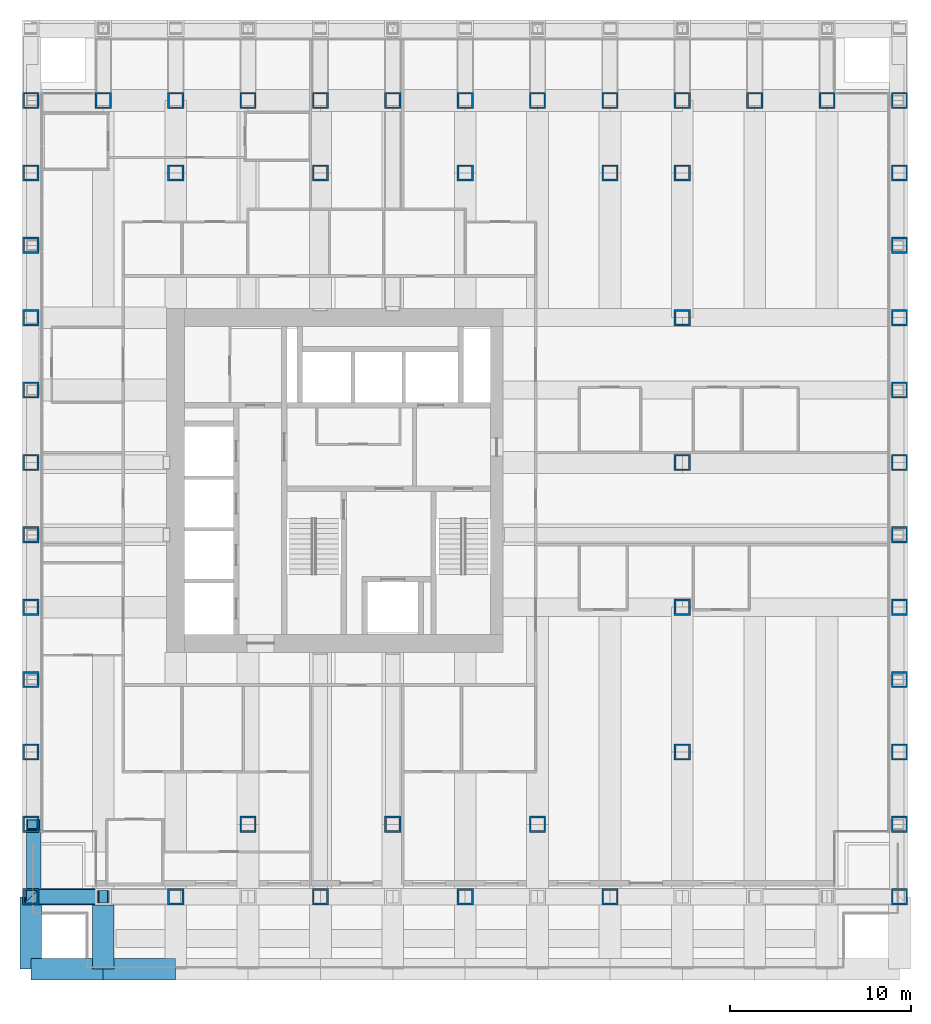
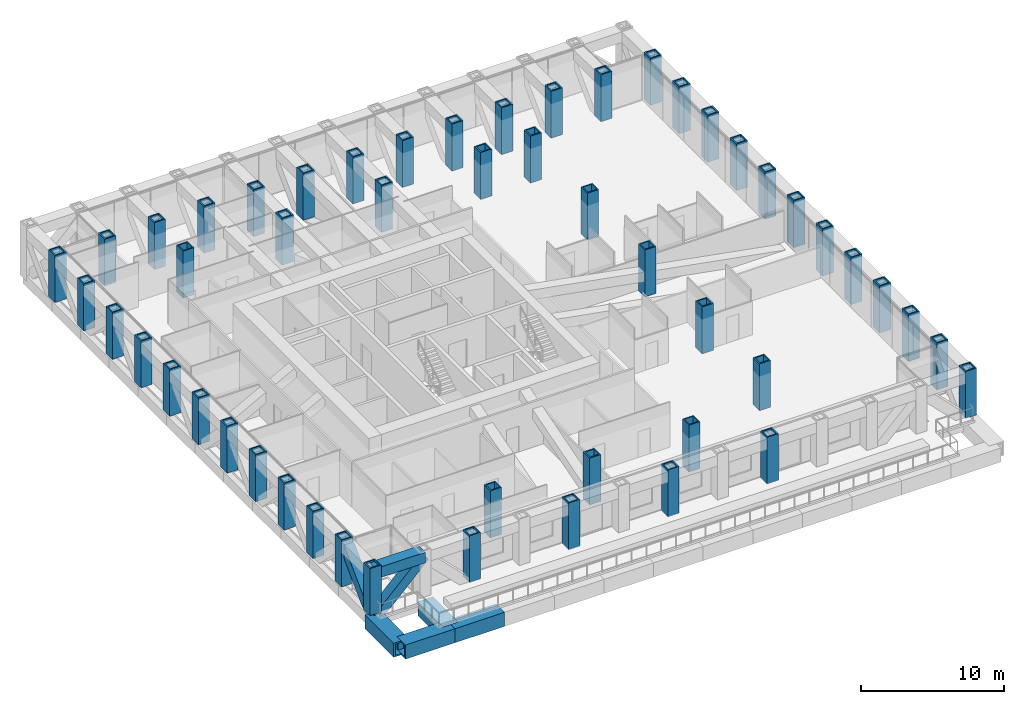
# One storey, part 1 of 18: 51 columns, 5 beams, 2 members.
"""IFC4 building model written with IfcOpenShell, lengths in metres."""

import ifcopenshell
import ifcopenshell.guid

model = None  # the IFC model being written
_history = None  # IfcOwnerHistory: only IFC2X3 demands one
_inside = {}  # id of a spatial element -> (the spatial element, [elements in it])
_under = {}  # id of a project, library or spatial element -> (it, [spatial elements below it])
_declared = {}  # id of a project -> (the project, [libraries it declares])
_typed = {}  # id of a type object -> (the type object, [elements of that type])
_made_of = {}  # id of a material, layer set ... -> (it, [elements and type objects made of it])


def new_model(schema):
    """Start an empty IFC model of exactly this schema.

    Asked for "IFC4X3", IfcOpenShell would pick the latest addendum, in which some entities
    have other attributes; the version numbers below select the first issue.
    IFC2X3 requires an IfcOwnerHistory on every rooted entity: one is made here for all.
    """
    global model, _history
    if schema == "IFC4X3":
        model = ifcopenshell.file(schema_version=(4, 3, 0, 0))
    else:
        model = ifcopenshell.file(schema=schema)
    _inside.clear()
    _under.clear()
    _declared.clear()
    _typed.clear()
    _made_of.clear()
    _history = None
    if model.schema == "IFC2X3":
        org = make("IfcOrganization", Name="unknown")
        user = make(
            "IfcPersonAndOrganization",
            ThePerson=make("IfcPerson", FamilyName="unknown"),
            TheOrganization=org,
        )
        app = make(
            "IfcApplication",
            ApplicationDeveloper=org,
            Version="unknown",
            ApplicationFullName="unknown",
            ApplicationIdentifier="unknown",
        )
        _history = make(
            "IfcOwnerHistory",
            OwningUser=user,
            OwningApplication=app,
            ChangeAction="ADDED",
            CreationDate=0,
        )
    return model


def make(cls, **values):
    """One entity of the class cls with the attributes given. An attribute that is None is left unset."""
    return model.create_entity(
        cls, **{name: value for name, value in values.items() if value is not None}
    )


def rooted(cls, **values):
    """An entity with a GlobalId (a new one), such as an element, a storey or a relation."""
    return make(cls, GlobalId=ifcopenshell.guid.new(), OwnerHistory=_history, **values)


def si_unit(unit_type, name, prefix=None):
    """IfcSIUnit, for example si_unit("LENGTHUNIT", "METRE", prefix="MILLI")."""
    return make("IfcSIUnit", UnitType=unit_type, Prefix=prefix, Name=name)


def assignment(units):
    """IfcUnitAssignment: the units of a project."""
    return None if units is None else make("IfcUnitAssignment", Units=units)


def point(xyz):
    """IfcCartesianPoint."""
    return None if xyz is None else make("IfcCartesianPoint", Coordinates=xyz)


def direction(xyz):
    """IfcDirection."""
    return None if xyz is None else make("IfcDirection", DirectionRatios=xyz)


def frame(location, z_axis=None, x_axis=None):
    """IfcAxis2Placement3D, a coordinate frame: its origin and axes. An axis left out is left unset."""
    return make(
        "IfcAxis2Placement3D",
        Location=point(location),
        Axis=direction(z_axis),
        RefDirection=direction(x_axis),
    )


def frame_2d(location, x_axis=None):
    """IfcAxis2Placement2D, a coordinate frame in the plane: its origin and x axis."""
    return make(
        "IfcAxis2Placement2D", Location=point(location), RefDirection=direction(x_axis)
    )


def origin():
    """The frame at (0, 0, 0) with its axes left unset."""
    return frame((0.0, 0.0, 0.0))


def origin_2d():
    """The frame at (0, 0) in the plane with its x axis left unset."""
    return frame_2d((0.0, 0.0))


def place(relative_to, where):
    """IfcLocalPlacement: puts the frame where relative to a parent placement (None: the world)."""
    return make(
        "IfcLocalPlacement", PlacementRelTo=relative_to, RelativePlacement=where
    )


def context(
    kind, dimensions, precision=None, world=None, true_north=None, identifier=None
):
    """IfcGeometricRepresentationContext, for example the 3D "Model" context."""
    return make(
        "IfcGeometricRepresentationContext",
        ContextIdentifier=identifier,
        ContextType=kind,
        CoordinateSpaceDimension=dimensions,
        Precision=precision,
        WorldCoordinateSystem=world,
        TrueNorth=true_north,
    )


def subcontext(parent, identifier, kind, view, scale=None):
    """IfcGeometricRepresentationSubContext, for example "Body" below "Model"."""
    return make(
        "IfcGeometricRepresentationSubContext",
        ContextIdentifier=identifier,
        ContextType=kind,
        ParentContext=parent,
        TargetScale=scale,
        TargetView=view,
    )


def project(units=None, contexts=None):
    """IfcProject with its units and contexts."""
    return rooted(
        "IfcProject",
        Name="project",
        RepresentationContexts=contexts,
        UnitsInContext=assignment(units),
    )


def spatial(cls, under=None, at=None, **own):
    """A site, building, storey or space (cls), placed at a placement, below another one or the project."""
    s = rooted(cls, ObjectPlacement=at, **own)
    if under is not None:
        _under.setdefault(under.id(), (under, []))[1].append(s)
    return s


def profile(cls, at=None, kind="AREA", **sizes):
    """A parametric profile (cls). Its sizes go by their IFC names, for example OverallWidth=200.0."""
    return make(cls, ProfileType=kind, Position=at, **sizes)


def hollow_rectangle(**sizes):
    """IfcRectangleHollowProfileDef."""
    return profile("IfcRectangleHollowProfileDef", **sizes)


def extrude(swept, where, along, depth):
    """IfcExtrudedAreaSolid: the profile swept, set in the frame where, extruded along a direction by depth."""
    return make(
        "IfcExtrudedAreaSolid",
        SweptArea=swept,
        Position=where,
        ExtrudedDirection=direction(along),
        Depth=depth,
    )


def shape(context_of_items, identifier, shape_type, items):
    """IfcShapeRepresentation: the items that make up one representation, for example the "Body"."""
    return make(
        "IfcShapeRepresentation",
        ContextOfItems=context_of_items,
        RepresentationIdentifier=identifier,
        RepresentationType=shape_type,
        Items=items,
    )


def material(Name=None, Category=None):
    """IfcMaterial."""
    return make("IfcMaterial", Name=Name, Category=Category)


def material_profile(
    of_material, cross_section, Name=None, Category=None, Priority=None
):
    """IfcMaterialProfile: a cross section and its material."""
    return make(
        "IfcMaterialProfile",
        Name=Name,
        Material=of_material,
        Profile=cross_section,
        Priority=Priority,
        Category=Category,
    )


def profile_set(profiles, Name=None, composite=None):
    """IfcMaterialProfileSet."""
    return make(
        "IfcMaterialProfileSet",
        Name=Name,
        MaterialProfiles=profiles,
        CompositeProfile=composite,
    )


def made_of(thing, what):
    """Note that an element or type object is made of a material, layer set ...; save() writes the relation."""
    if what is not None:
        _made_of.setdefault(what.id(), (what, []))[1].append(thing)
    return thing


def type_object(cls, material=None, **own):
    """A type object (cls), such as IfcWallType, which elements share."""
    return made_of(rooted(cls, **own), material)


def element(
    cls,
    number,
    at=None,
    inside=None,
    cuts=None,
    type_object=None,
    material=None,
    context=None,
    identifier="Body",
    shape_type=None,
    held_by="IfcProductDefinitionShape",
    body=None,
    shapes=None,
    **own,
):
    """One element of the class cls, such as IfcWall. Its Tag is "e" and its number.

    at: its placement. inside: the storey or other place that contains it. cuts: it is an
    opening in that element (IfcRelVoidsElement). A single representation is given by context,
    identifier, shape_type and body (its items); several are given by shapes. held_by: the class
    of the entity that holds the representations. save() writes the other relations.
    """
    e = rooted(cls, Tag="e%d" % number, ObjectPlacement=at, **own)
    if body is not None:
        shapes = [shape(context, identifier, shape_type, body)]
    if shapes is not None:
        e.Representation = make(held_by, Representations=shapes)
    if inside is not None:
        _inside.setdefault(inside.id(), (inside, []))[1].append(e)
    if cuts is not None:
        rooted(
            "IfcRelVoidsElement", RelatingBuildingElement=cuts, RelatedOpeningElement=e
        )
    if type_object is not None:
        _typed.setdefault(type_object.id(), (type_object, []))[1].append(e)
    return made_of(e, material)


def aggregate(whole, parts):
    """IfcRelAggregates: a whole, such as a stair, and the parts it consists of."""
    return rooted("IfcRelAggregates", RelatingObject=whole, RelatedObjects=parts)


def save(model, path):
    """Write the relations noted so far, then the file.

    IfcRelAggregates (storeys below a building ...), IfcRelContainedInSpatialStructure (elements
    in a storey), IfcRelDefinesByType, IfcRelAssociatesMaterial and IfcRelDeclares: one each for
    every whole, place, type object, material and project.
    """
    for whole, parts in _under.values():
        aggregate(whole, parts)
    for where, things in _inside.values():
        rooted(
            "IfcRelContainedInSpatialStructure",
            RelatedElements=things,
            RelatingStructure=where,
        )
    for kind, things in _typed.values():
        rooted("IfcRelDefinesByType", RelatedObjects=things, RelatingType=kind)
    for what, things in _made_of.values():
        rooted("IfcRelAssociatesMaterial", RelatedObjects=things, RelatingMaterial=what)
    for by, libraries in _declared.values():
        rooted("IfcRelDeclares", RelatingContext=by, RelatedDefinitions=libraries)
    model.write(path)


model = new_model("IFC4")

# Units and contexts
model_context = context("Model", 3, precision=1e-05, world=origin(), true_north=direction((0.0, 1.0)))
body_context = subcontext(model_context, "Body", "Model", "MODEL_VIEW")
ifc_project = project(units=[si_unit("LENGTHUNIT", "METRE"), si_unit("AREAUNIT", "SQUARE_METRE"), si_unit("VOLUMEUNIT", "CUBIC_METRE"), si_unit("PLANEANGLEUNIT", "RADIAN"), si_unit("MASSUNIT", "GRAM", prefix="KILO")], contexts=[model_context])

# Site, building, storey
site_placement = place(None, origin())
site = spatial("IfcSite", under=ifc_project, at=site_placement, CompositionType="ELEMENT")
building_placement = place(site_placement, origin())
building = spatial("IfcBuilding", under=site, at=building_placement, Name="Rimbunsela Tower", CompositionType="ELEMENT")
storey_placement = place(building_placement, frame((0.0, 0.0, 105.39990234375)))
storey = spatial("IfcBuildingStorey", under=building, at=storey_placement, Name="L25", CompositionType="ELEMENT", Elevation=105.39990234375)

# Columns
ifc_material_1 = material(Name="Steel BJ 55 (fy 410 MPa)", Category="steel")
ifc_material_profile_1 = material_profile(ifc_material_1, hollow_rectangle(XDim=0.89990234375, YDim=0.89990234375, WallThickness=0.10009765625, at=origin_2d()), Name="BOX 900x900x100")
ifc_profile_set_1 = profile_set([ifc_material_profile_1], Name="Steel BJ 55 (fy 410 MPa)")
column_type_1 = type_object("IfcColumnType", Name="Column BOX 900x900x100", PredefinedType="COLUMN", material=ifc_profile_set_1)
for number, where, z_axis, x_axis, name in (
    (1, (18.0, 44.0, 0.0), (0.0, 0.0, 1.0), (1.0, 0.0, 0.0), "Column C5 7/N L25"),
    (2, (22.0, 8.0, 0.0), (0.0, 0.0, 1.0), (1.0, 0.0, 0.0), "Column C5 8/D L25"),
    (3, (26.0, 44.0, 0.0), (0.0, 0.0, 1.0), (1.0, 0.0, 0.0), "Column C5 9/N L25"),
    (4, (30.0, 8.0, 0.0), (0.0, 0.0, 1.0), (1.0, 0.0, 0.0), "Column C5 10/D L25"),
    (5, (34.0, 44.0, 0.0), (0.0, 0.0, 1.0), (1.0, 0.0, 0.0), "Column C5 11/N L25"),
    (6, (38.0, 8.0, 0.0), (0.0, 0.0, 1.0), (1.0, 0.0, 0.0), "Column C5 12/D L25"),
    (7, (42.0, 44.0, 0.0), (0.0, 0.0, 1.0), (1.0, 0.0, 0.0), "Column C5 13/N L25"),
    (8, (46.0, 12.0, 0.0), (0.0, 0.0, 1.0), (1.0, 0.0, 0.0), "Column C5 14/E L25"),
    (9, (46.0, 20.0, 0.0), (0.0, 0.0, 1.0), (1.0, 0.0, 0.0), "Column C5 14/G L25"),
    (10, (46.0, 28.0, 0.0), (0.0, 0.0, 1.0), (1.0, 0.0, 0.0), "Column C5 14/J L25"),
    (11, (46.0, 36.0, 0.0), (0.0, 0.0, 1.0), (1.0, 0.0, 0.0), "Column C5 14/L L25"),
    (12, (46.0, 44.0, 0.0), (0.0, 0.0, 1.0), (1.0, 0.0, 0.0), "Column C5 14/N L25"),
):
    element("IfcColumn", number, at=place(storey_placement, frame(where, z_axis=z_axis, x_axis=x_axis)), inside=storey, type_object=column_type_1, Name=name, PredefinedType="COLUMN", context=body_context, shape_type="SweptSolid", body=[
        extrude(hollow_rectangle(XDim=0.89990234375, YDim=0.89990234375, WallThickness=0.10009765625, at=origin_2d()), origin(), (0.0, 0.0, 1.0), 4.0),
    ])
ifc_material_2 = material(Name="Steel BJ 55 (fy 410 MPa)", Category="steel")
ifc_material_profile_2 = material_profile(ifc_material_2, hollow_rectangle(XDim=0.89990234375, YDim=0.89990234375, WallThickness=0.10009765625, at=origin_2d()), Name="BOX 900x900x100")
ifc_profile_set_2 = profile_set([ifc_material_profile_2], Name="Steel BJ 55 (fy 410 MPa)")
column_type_2 = type_object("IfcColumnType", Name="Truss column BOX 900x900x100", PredefinedType="USERDEFINED", material=ifc_profile_set_2)
for number, where, z_axis, x_axis, name in (
    (13, (10.0, 4.0, 0.0), (0.0, 0.0, 1.0), (1.0, 0.0, 0.0), "Truss column TV2 5/C L25"),
    (14, (10.0, 8.0, 0.0), (0.0, 0.0, 1.0), (1.0, 0.0, 0.0), "Truss column TV2 5/D L25"),
    (15, (10.0, 12.0, 0.0), (0.0, 0.0, 1.0), (1.0, 0.0, 0.0), "Truss column TV2 5/E L25"),
    (16, (10.0, 16.0, 0.0), (0.0, 0.0, 1.0), (1.0, 0.0, 0.0), "Truss column TV2 5/F L25"),
    (17, (10.0, 20.0, 0.0), (0.0, 0.0, 1.0), (1.0, 0.0, 0.0), "Truss column TV2 5/G L25"),
    (18, (10.0, 24.0, 0.0), (0.0, 0.0, 1.0), (1.0, 0.0, 0.0), "Truss column TV2 5/H L25"),
    (19, (10.0, 28.0, 0.0), (0.0, 0.0, 1.0), (1.0, 0.0, 0.0), "Truss column TV2 5/J L25"),
    (20, (10.0, 32.0, 0.0), (0.0, 0.0, 1.0), (1.0, 0.0, 0.0), "Truss column TV2 5/K L25"),
    (21, (10.0, 36.0, 0.0), (0.0, 0.0, 1.0), (1.0, 0.0, 0.0), "Truss column TV2 5/L L25"),
    (22, (10.0, 40.0, 0.0), (0.0, 0.0, 1.0), (1.0, 0.0, 0.0), "Truss column TV2 5/M L25"),
    (23, (10.0, 44.0, 0.0), (0.0, 0.0, 1.0), (1.0, 0.0, 0.0), "Truss column TV2 5/N L25"),
    (24, (10.0, 48.0, 0.0), (0.0, 0.0, 1.0), (1.0, 0.0, 0.0), "Truss column TV2 5/P L25"),
    (25, (18.0, 4.0, 0.0), (0.0, 0.0, 1.0), (1.0, 0.0, 0.0), "Truss column TV2 7/C L25"),
    (26, (26.0, 4.0, 0.0), (0.0, 0.0, 1.0), (1.0, 0.0, 0.0), "Truss column TV2 9/C L25"),
    (27, (34.0, 4.0, 0.0), (0.0, 0.0, 1.0), (1.0, 0.0, 0.0), "Truss column TV2 11/C L25"),
    (28, (42.0, 4.0, 0.0), (0.0, 0.0, 1.0), (1.0, 0.0, 0.0), "Truss column TV2 13/C L25"),
    (29, (58.0, 4.0, 0.0), (0.0, 0.0, 1.0), (1.0, 0.0, 0.0), "Truss column TV2 17/C L25"),
    (30, (58.0, 8.0, 0.0), (0.0, 0.0, 1.0), (1.0, 0.0, 0.0), "Truss column TV2 17/D L25"),
    (31, (58.0, 12.0, 0.0), (0.0, 0.0, 1.0), (1.0, 0.0, 0.0), "Truss column TV2 17/E L25"),
    (32, (58.0, 16.0, 0.0), (0.0, 0.0, 1.0), (1.0, 0.0, 0.0), "Truss column TV2 17/F L25"),
    (33, (58.0, 20.0, 0.0), (0.0, 0.0, 1.0), (1.0, 0.0, 0.0), "Truss column TV2 17/G L25"),
    (34, (58.0, 24.0, 0.0), (0.0, 0.0, 1.0), (1.0, 0.0, 0.0), "Truss column TV2 17/H L25"),
    (35, (58.0, 28.0, 0.0), (0.0, 0.0, 1.0), (1.0, 0.0, 0.0), "Truss column TV2 17/J L25"),
    (36, (58.0, 32.0, 0.0), (0.0, 0.0, 1.0), (1.0, 0.0, 0.0), "Truss column TV2 17/K L25"),
    (37, (58.0, 36.0, 0.0), (0.0, 0.0, 1.0), (1.0, 0.0, 0.0), "Truss column TV2 17/L L25"),
    (38, (58.0, 40.0, 0.0), (0.0, 0.0, 1.0), (1.0, 0.0, 0.0), "Truss column TV2 17/M L25"),
    (39, (58.0, 44.0, 0.0), (0.0, 0.0, 1.0), (1.0, 0.0, 0.0), "Truss column TV2 17/N L25"),
    (40, (58.0, 48.0, 0.0), (0.0, 0.0, 1.0), (1.0, 0.0, 0.0), "Truss column TV2 17/P L25"),
    (41, (14.0, 48.0, 0.0), (0.0, 0.0, 1.0), (1.0, 0.0, 0.0), "Truss column TV2 6/P L25"),
    (42, (18.0, 48.0, 0.0), (0.0, 0.0, 1.0), (1.0, 0.0, 0.0), "Truss column TV2 7/P L25"),
    (43, (22.0, 48.0, 0.0), (0.0, 0.0, 1.0), (1.0, 0.0, 0.0), "Truss column TV2 8/P L25"),
    (44, (26.0, 48.0, 0.0), (0.0, 0.0, 1.0), (1.0, 0.0, 0.0), "Truss column TV2 9/P L25"),
    (45, (30.0, 48.0, 0.0), (0.0, 0.0, 1.0), (1.0, 0.0, 0.0), "Truss column TV2 10/P L25"),
    (46, (34.0, 48.0, 0.0), (0.0, 0.0, 1.0), (1.0, 0.0, 0.0), "Truss column TV2 11/P L25"),
    (47, (38.0, 48.0, 0.0), (0.0, 0.0, 1.0), (1.0, 0.0, 0.0), "Truss column TV2 12/P L25"),
    (48, (42.0, 48.0, 0.0), (0.0, 0.0, 1.0), (1.0, 0.0, 0.0), "Truss column TV2 13/P L25"),
    (49, (46.0, 48.0, 0.0), (0.0, 0.0, 1.0), (1.0, 0.0, 0.0), "Truss column TV2 14/P L25"),
    (50, (50.0, 48.0, 0.0), (0.0, 0.0, 1.0), (1.0, 0.0, 0.0), "Truss column TV2 15/P L25"),
    (51, (54.0, 48.0, 0.0), (0.0, 0.0, 1.0), (1.0, 0.0, 0.0), "Truss column TV2 16/P L25"),
):
    element("IfcColumn", number, at=place(storey_placement, frame(where, z_axis=z_axis, x_axis=x_axis)), inside=storey, type_object=column_type_2, Name=name, ObjectType="TRUSS POST", PredefinedType="USERDEFINED", context=body_context, shape_type="SweptSolid", body=[
        extrude(hollow_rectangle(XDim=0.89990234375, YDim=0.89990234375, WallThickness=0.10009765625, at=origin_2d()), origin(), (0.0, 0.0, 1.0), 4.0),
    ])

# Beams
ifc_material_3 = material(Name="Steel BJ 55 (fy 410 MPa)", Category="steel")
ifc_material_profile_3 = material_profile(ifc_material_3, hollow_rectangle(XDim=1.199951171875, YDim=1.199951171875, WallThickness=0.125, at=origin_2d()), Name="BOX 1200x1200x125")
ifc_profile_set_3 = profile_set([ifc_material_profile_3], Name="Steel BJ 55 (fy 410 MPa)")
beam_type_1 = type_object("IfcBeamType", Name="Beam BOX 1200x1200x125", PredefinedType="BEAM", material=ifc_profile_set_3)
for number, where, z_axis, x_axis, name in (
    (52, (10.0, 0.0, -0.75), (0.0, 1.0, 0.0), (-1.0, 0.0, 0.0), "Beam B4 L25"),
    (53, (10.0, 0.0, -0.75), (1.0, 0.0, 0.0), (0.0, 1.0, 0.0), "Beam B4 L25"),
):
    element("IfcBeam", number, at=place(storey_placement, frame(where, z_axis=z_axis, x_axis=x_axis)), inside=storey, type_object=beam_type_1, Name=name, PredefinedType="BEAM", context=body_context, shape_type="SweptSolid", body=[
        extrude(hollow_rectangle(XDim=1.199951171875, YDim=1.199951171875, WallThickness=0.125, at=origin_2d()), origin(), (0.0, 0.0, 1.0), 4.0),
    ])
beam_1_placement = place(storey_placement, frame((14.0, 0.0, -0.75), z_axis=(0.0, 1.0, 0.0), x_axis=(-1.0, 0.0, 0.0)))
element("IfcBeam", 54, at=beam_1_placement, inside=storey, type_object=beam_type_1, Name="Beam B4 L25", PredefinedType="BEAM", context=body_context, shape_type="SweptSolid", body=[
    extrude(hollow_rectangle(XDim=1.199951171875, YDim=1.199951171875, WallThickness=0.125, at=origin_2d()), origin(), (0.0, 0.0, 1.0), 3.550048828125),
])
beam_2_placement = place(storey_placement, frame((14.0, 0.0, -0.75), z_axis=(1.0, 0.0, 0.0), x_axis=(0.0, 1.0, 0.0)))
element("IfcBeam", 55, at=beam_2_placement, inside=storey, type_object=beam_type_1, Name="Beam B4 L25", PredefinedType="BEAM", context=body_context, shape_type="SweptSolid", body=[
    extrude(hollow_rectangle(XDim=1.199951171875, YDim=1.199951171875, WallThickness=0.125, at=origin_2d()), origin(), (0.0, 0.0, 1.0), 4.0),
])
ifc_material_4 = material(Name="Steel BJ 55 (fy 410 MPa)", Category="steel")
ifc_material_profile_4 = material_profile(ifc_material_4, hollow_rectangle(XDim=0.89990234375, YDim=0.89990234375, WallThickness=0.10009765625, at=origin_2d()), Name="BOX 900x900x100")
ifc_profile_set_4 = profile_set([ifc_material_profile_4], Name="Steel BJ 55 (fy 410 MPa)")
beam_type_2 = type_object("IfcBeamType", Name="Truss chord BOX 900x900x100", PredefinedType="USERDEFINED", material=ifc_profile_set_4)
beam_3_placement = place(storey_placement, frame((10.0, 4.0, 3.400146484375), z_axis=(1.0, 0.0, 0.0), x_axis=(0.0, 1.0, 0.0)))
element("IfcBeam", 56, at=beam_3_placement, inside=storey, type_object=beam_type_2, Name="Truss top chord TC2 S face L25", ObjectType="TRUSS CHORD", PredefinedType="USERDEFINED", context=body_context, shape_type="SweptSolid", body=[
    extrude(hollow_rectangle(XDim=0.89990234375, YDim=0.89990234375, WallThickness=0.10009765625, at=origin_2d()), origin(), (0.0, 0.0, 1.0), 4.0),
])

# Members
ifc_material_5 = material(Name="Steel BJ 55 (fy 410 MPa)", Category="steel")
ifc_material_profile_5 = material_profile(ifc_material_5, hollow_rectangle(XDim=0.800048828125, YDim=0.800048828125, WallThickness=0.06005859375, at=origin_2d()), Name="BOX 800x800x60")
ifc_profile_set_5 = profile_set([ifc_material_profile_5], Name="Steel BJ 55 (fy 410 MPa)")
member_type = type_object("IfcMemberType", Name="Truss diagonal BOX 800x800x60", PredefinedType="BRACE", material=ifc_profile_set_5)
for number, where, z_axis, x_axis, name in (
    (57, (10.0, 4.0, -0.599853515625), (0.707106781187, 0.0, 0.707106781187), (0.0, 1.0, 0.0), "Truss diagonal TD2 S face L25"),
    (58, (10.14990234375, 4.0, -0.599853515625), (0.0, 0.707106781187, 0.707106781187), (-1.0, 0.0, 0.0), "Truss diagonal TD2 W face L25"),
):
    element("IfcMember", number, at=place(storey_placement, frame(where, z_axis=z_axis, x_axis=x_axis)), inside=storey, type_object=member_type, Name=name, PredefinedType="BRACE", context=body_context, shape_type="SweptSolid", body=[
        extrude(hollow_rectangle(XDim=0.800048828125, YDim=0.800048828125, WallThickness=0.06005859375, at=origin_2d()), origin(), (0.0, 0.0, 1.0), 5.65673828125),
    ])

save(model, "model.ifc")
